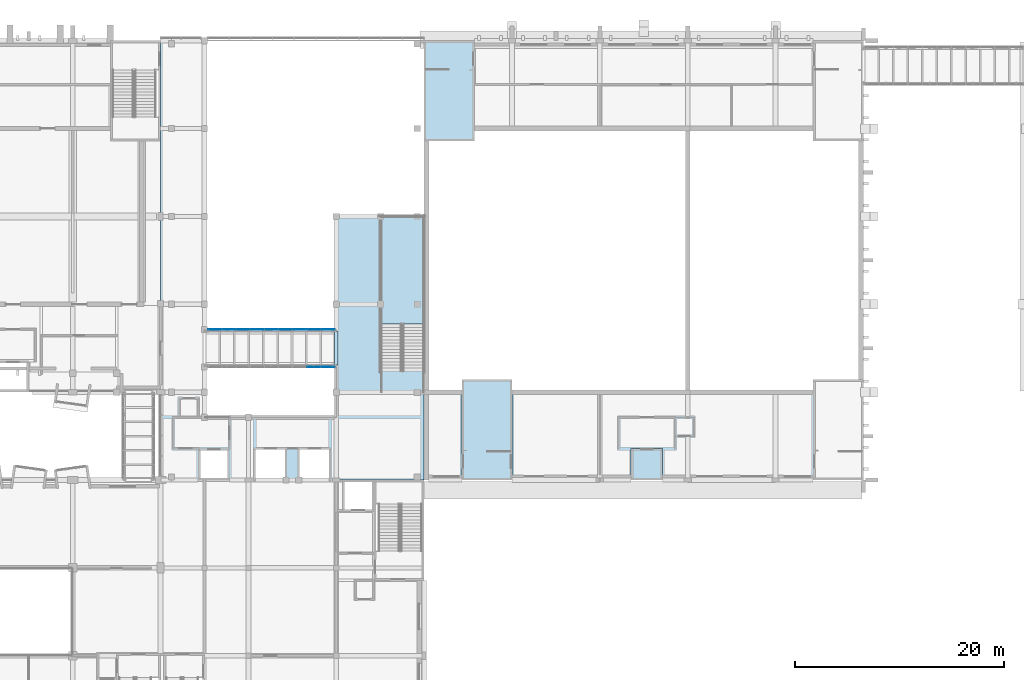
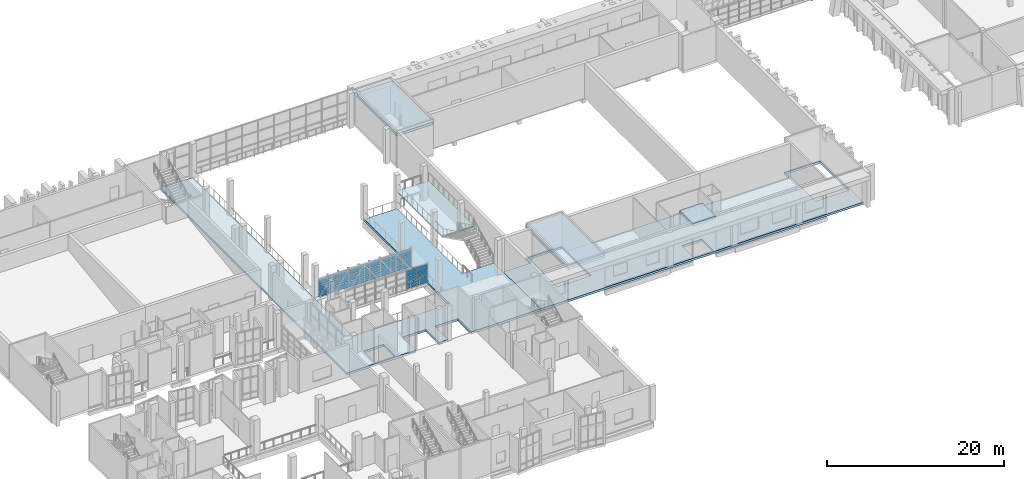
# One storey, part 33 of 86: 34 plates, 6 slabs, 3 elements without a shape of their own.
"""IFC4 building model written with IfcOpenShell, lengths in metres."""

from ifc_helpers import new_model, si_unit, direction, frame, origin, origin_2d, place, context, subcontext, project, spatial, polyline, rectangle, outline, extrude, material, layer, layer_set, type_object, element, aggregate, save


model = new_model("IFC4")

# Units and contexts
model_context = context("Model", 3, precision=1e-05, world=origin(), true_north=direction((0.0, 1.0)))
body_context = subcontext(model_context, "Body", "Model", "MODEL_VIEW")
ifc_project = project(units=[si_unit("LENGTHUNIT", "METRE"), si_unit("AREAUNIT", "SQUARE_METRE"), si_unit("VOLUMEUNIT", "CUBIC_METRE"), si_unit("PLANEANGLEUNIT", "RADIAN"), si_unit("MASSUNIT", "GRAM", prefix="KILO")], contexts=[model_context])

# Site, building, storey
site_placement = place(None, origin())
site = spatial("IfcSite", under=ifc_project, at=site_placement, CompositionType="ELEMENT")
building_placement = place(site_placement, origin())
building = spatial("IfcBuilding", under=site, at=building_placement, Name="Kiln Court Media Centre", CompositionType="ELEMENT")
storey_placement = place(building_placement, frame((0.0, 0.0, 10.199951171875)))
storey = spatial("IfcBuildingStorey", under=building, at=storey_placement, Name="L02", CompositionType="ELEMENT", Elevation=10.199951171875)

# Slabs
ifc_material_1 = material(Name="Concrete C30/37", Category="concrete")
ifc_layer_1 = layer(ifc_material_1, 0.300048828125)
ifc_layer_set_1 = layer_set([ifc_layer_1], Name="Concrete C30/37 floor slab 300")
slab_type_1 = type_object("IfcSlabType", Name="Concrete C30/37 floor slab 300", PredefinedType="FLOOR", material=ifc_layer_set_1)
slab_1_placement = place(storey_placement, frame((0.0, 0.0, -0.300048828125)))
element("IfcSlab", 1, at=slab_1_placement, inside=storey, type_object=slab_type_1, Name="L02-SL-1003", PredefinedType="FLOOR", context=body_context, shape_type="SweptSolid", body=[
    extrude(outline(polyline([(33.60009765625, 25.199951171875), (33.60009765625, 67.199951171875), (37.800048828125, 67.199951171875), (37.800048828125, 31.199951171875), (50.39990234375, 31.199951171875), (50.39990234375, 50.39990234375), (54.64990234375, 50.39990234375), (54.64990234375, 35.639892578125), (58.800048828125, 35.639892578125), (58.800048828125, 25.199951171875), (49.800048828125, 25.199951171875), (49.800048828125, 28.199951171875), (46.800048828125, 28.199951171875), (46.800048828125, 25.199951171875), (45.60009765625, 25.199951171875), (45.60009765625, 28.199951171875), (42.60009765625, 28.199951171875), (42.60009765625, 25.199951171875), (33.60009765625, 25.199951171875)]), holes=[polyline([(37.39990234375, 25.39990234375), (40.0, 25.39990234375), (40.0, 28.0), (37.39990234375, 28.0), (37.39990234375, 25.39990234375)])]), origin(), (0.0, 0.0, 1.0), 0.300048828125),
])
slab_2_placement = place(storey_placement, frame((0.0, 0.0, -0.300048828125)))
element("IfcSlab", 2, at=slab_2_placement, inside=storey, type_object=slab_type_1, Name="L02-SL-1004", PredefinedType="FLOOR", context=body_context, shape_type="SweptSolid", body=[
    extrude(outline(polyline([(58.800048828125, 25.199951171875), (58.800048828125, 33.60009765625), (62.39990234375, 33.60009765625), (62.39990234375, 34.800048828125), (67.199951171875, 34.800048828125), (67.199951171875, 33.60009765625), (96.0, 33.60009765625), (96.0, 34.800048828125), (100.800048828125, 34.800048828125), (100.800048828125, 25.199951171875), (58.800048828125, 25.199951171875)]), holes=[polyline([(78.800048828125, 25.39990234375), (81.39990234375, 25.39990234375), (81.39990234375, 28.0), (78.800048828125, 28.0), (78.800048828125, 25.39990234375)]), polyline([(62.60009765625, 28.0400390625), (67.0, 28.0400390625), (67.0, 34.60009765625), (62.60009765625, 34.60009765625), (62.60009765625, 28.0400390625)]), polyline([(96.199951171875, 28.0400390625), (100.60009765625, 28.0400390625), (100.60009765625, 34.60009765625), (96.199951171875, 34.60009765625), (96.199951171875, 28.0400390625)])]), origin(), (0.0, 0.0, 1.0), 0.300048828125),
])
ifc_material_2 = material(Name="Concrete C30/37", Category="concrete")
ifc_layer_2 = layer(ifc_material_2, 0.39990234375)
ifc_layer_set_2 = layer_set([ifc_layer_2], Name="Concrete C30/37 roof slab 400")
slab_type_2 = type_object("IfcSlabType", Name="Concrete C30/37 roof slab 400", PredefinedType="ROOF", material=ifc_layer_set_2)
slab_3_placement = place(storey_placement, frame((0.0, 0.0, 4.050048828125)))
element("IfcSlab", 3, at=slab_3_placement, inside=storey, type_object=slab_type_2, Name="L02-SL-1008", PredefinedType="ROOF", context=body_context, shape_type="SweptSolid", body=[
    extrude(outline(polyline([(58.800048828125, 57.60009765625), (58.800048828125, 67.199951171875), (63.60009765625, 67.199951171875), (63.60009765625, 57.60009765625), (58.800048828125, 57.60009765625)])), origin(), (0.0, 0.0, 1.0), 0.39990234375),
])
slab_4_placement = place(storey_placement, frame((0.0, 0.0, 4.050048828125)))
element("IfcSlab", 4, at=slab_4_placement, inside=storey, type_object=slab_type_2, Name="L02-SL-1009", PredefinedType="ROOF", context=body_context, shape_type="SweptSolid", body=[
    extrude(outline(polyline([(62.39990234375, 25.199951171875), (62.39990234375, 34.800048828125), (67.199951171875, 34.800048828125), (67.199951171875, 25.199951171875), (62.39990234375, 25.199951171875)])), origin(), (0.0, 0.0, 1.0), 0.39990234375),
])
slab_5_placement = place(storey_placement, frame((0.0, 0.0, 4.400146484375)))
element("IfcSlab", 5, at=slab_5_placement, inside=storey, type_object=slab_type_2, Name="L02-SL-1015", PredefinedType="ROOF", context=body_context, shape_type="SweptSolid", body=[
    extrude(outline(polyline([(78.60009765625, 25.199951171875), (78.60009765625, 28.199951171875), (81.60009765625, 28.199951171875), (81.60009765625, 25.199951171875), (78.60009765625, 25.199951171875)])), origin(), (0.0, 0.0, 1.0), 0.39990234375),
])

# Stair, slab
ifc_material_3 = material(Name="Concrete C40/50", Category="concrete")
stair_type = type_object("IfcStairType", Name="Concrete C40/50 dog-leg stair 2000 wide, 150 riser", PredefinedType="HALF_TURN_STAIR", material=ifc_material_3)
stair_placement = place(storey_placement, origin())
stair = element("IfcStair", 6, at=stair_placement, inside=storey, type_object=stair_type, Name="ST-F1 L02", PredefinedType="HALF_TURN_STAIR")
ifc_material_4 = material(Name="Concrete C40/50", Category="concrete")
ifc_layer_3 = layer(ifc_material_4, 0.199951171875)
ifc_layer_set_3 = layer_set([ifc_layer_3], Name="Concrete C40/50 stair landing 200")
slab_type_3 = type_object("IfcSlabType", Name="Concrete C40/50 stair landing 200", PredefinedType="LANDING", material=ifc_layer_set_3)
slab_6_placement = place(storey_placement, frame((0.0, 0.0, 2.199951171875)))
slab_6 = element("IfcSlab", 7, at=slab_6_placement, type_object=slab_type_3, Name="L02-ST-5010 landing 5010", PredefinedType="LANDING", context=body_context, shape_type="SweptSolid", body=[
    extrude(outline(polyline([(58.800048828125, 40.10009765625), (58.800048828125, 50.39990234375), (54.64990234375, 50.39990234375), (54.64990234375, 40.10009765625), (58.800048828125, 40.10009765625)])), origin(), (0.0, 0.0, 1.0), 0.2001953125),
])
aggregate(stair, [slab_6])

# Curtain wall, plates
ifc_material_5 = material(Name="Aluminium 6063-T6", Category="aluminium")
ifc_layer_4 = layer(ifc_material_5, 0.1201171875)
ifc_layer_set_4 = layer_set([ifc_layer_4], Name="Aluminium unitised curtain wall, bridge")
curtain_wall_type = type_object("IfcCurtainWallType", Name="Aluminium unitised curtain wall, bridge", PredefinedType="USERDEFINED", material=ifc_layer_set_4)
curtain_wall_1_placement = place(storey_placement, origin())
curtain_wall_1 = element("IfcCurtainWall", 8, at=curtain_wall_1_placement, inside=storey, type_object=curtain_wall_type, Name="BR-L02-FOY-11 side glazing", ObjectType="UNITISED CURTAIN WALL", PredefinedType="USERDEFINED")
ifc_material_6 = material(Name="Aluminium insulated spandrel", Category="aluminium")
ifc_layer_5 = layer(ifc_material_6, 0.028076171875)
ifc_layer_set_5 = layer_set([ifc_layer_5], Name="Insulated aluminium spandrel panel 28")
plate_type_1 = type_object("IfcPlateType", Name="Insulated aluminium spandrel panel 28", PredefinedType="CURTAIN_PANEL", material=ifc_layer_set_5)
plate_1_placement = place(storey_placement, frame((48.2666015625, 36.014892578125, 0.10009765625), z_axis=(0.0, 0.0, 1.0), x_axis=(1.0, 0.0, 0.0)))
plate_1 = element("IfcPlate", 9, at=plate_1_placement, type_object=plate_type_1, Name="CW2-67 panel 8.1", PredefinedType="CURTAIN_PANEL", context=body_context, shape_type="SweptSolid", body=[
    extrude(rectangle(XDim=1.3056640625, YDim=0.028076171875, at=origin_2d()), origin(), (0.0, 0.0, 1.0), 0.74169921875),
])
plate_2_placement = place(storey_placement, frame((48.2666015625, 36.014892578125, 1.833251953125), z_axis=(0.0, 0.0, 1.0), x_axis=(1.0, 0.0, 0.0)))
plate_2 = element("IfcPlate", 10, at=plate_2_placement, type_object=plate_type_1, Name="CW2-67 panel 8.3", PredefinedType="CURTAIN_PANEL", context=body_context, shape_type="SweptSolid", body=[
    extrude(rectangle(XDim=1.3056640625, YDim=0.028076171875, at=origin_2d()), origin(), (0.0, 0.0, 1.0), 0.74169921875),
])
plate_3_placement = place(storey_placement, frame((49.609619140625, 36.014892578125, 0.10009765625), z_axis=(0.0, 0.0, 1.0), x_axis=(1.0, 0.0, 0.0)))
plate_3 = element("IfcPlate", 11, at=plate_3_placement, type_object=plate_type_1, Name="CW2-67 panel 9.1", PredefinedType="CURTAIN_PANEL", context=body_context, shape_type="SweptSolid", body=[
    extrude(rectangle(XDim=1.280517578125, YDim=0.028076171875, at=origin_2d()), origin(), (0.0, 0.0, 1.0), 0.74169921875),
])
plate_4_placement = place(storey_placement, frame((49.609619140625, 36.014892578125, 0.94189453125), z_axis=(0.0, 0.0, 1.0), x_axis=(1.0, 0.0, 0.0)))
plate_4 = element("IfcPlate", 12, at=plate_4_placement, type_object=plate_type_1, Name="CW2-67 panel 9.2", PredefinedType="CURTAIN_PANEL", context=body_context, shape_type="SweptSolid", body=[
    extrude(rectangle(XDim=1.280517578125, YDim=0.028076171875, at=origin_2d()), origin(), (0.0, 0.0, 1.0), 0.79150390625),
])

curtain_wall_2_placement = place(storey_placement, origin())
curtain_wall_2 = element("IfcCurtainWall", 13, at=curtain_wall_2_placement, inside=storey, type_object=curtain_wall_type, Name="BR-L02-FOY-11 side glazing", ObjectType="UNITISED CURTAIN WALL", PredefinedType="USERDEFINED")
plate_5_placement = place(storey_placement, frame((38.790283203125, 39.5849609375, 0.10009765625), z_axis=(0.0, 0.0, 1.0), x_axis=(1.0, 0.0, 0.0)))
plate_5 = element("IfcPlate", 14, at=plate_5_placement, type_object=plate_type_1, Name="CW2-68 panel 1.1", PredefinedType="CURTAIN_PANEL", context=body_context, shape_type="SweptSolid", body=[
    extrude(rectangle(XDim=1.280517578125, YDim=0.028076171875, at=origin_2d()), origin(), (0.0, 0.0, 1.0), 0.74169921875),
])
plate_6_placement = place(storey_placement, frame((38.790283203125, 39.5849609375, 0.94189453125), z_axis=(0.0, 0.0, 1.0), x_axis=(1.0, 0.0, 0.0)))
plate_6 = element("IfcPlate", 15, at=plate_6_placement, type_object=plate_type_1, Name="CW2-68 panel 1.2", PredefinedType="CURTAIN_PANEL", context=body_context, shape_type="SweptSolid", body=[
    extrude(rectangle(XDim=1.280517578125, YDim=0.028076171875, at=origin_2d()), origin(), (0.0, 0.0, 1.0), 0.79150390625),
])
plate_7_placement = place(storey_placement, frame((40.13330078125, 39.5849609375, 0.10009765625), z_axis=(0.0, 0.0, 1.0), x_axis=(1.0, 0.0, 0.0)))
plate_7 = element("IfcPlate", 16, at=plate_7_placement, type_object=plate_type_1, Name="CW2-68 panel 2.1", PredefinedType="CURTAIN_PANEL", context=body_context, shape_type="SweptSolid", body=[
    extrude(rectangle(XDim=1.3056640625, YDim=0.028076171875, at=origin_2d()), origin(), (0.0, 0.0, 1.0), 0.74169921875),
])
plate_8_placement = place(storey_placement, frame((40.13330078125, 39.5849609375, 1.833251953125), z_axis=(0.0, 0.0, 1.0), x_axis=(1.0, 0.0, 0.0)))
plate_8 = element("IfcPlate", 17, at=plate_8_placement, type_object=plate_type_1, Name="CW2-68 panel 2.3", PredefinedType="CURTAIN_PANEL", context=body_context, shape_type="SweptSolid", body=[
    extrude(rectangle(XDim=1.3056640625, YDim=0.028076171875, at=origin_2d()), origin(), (0.0, 0.0, 1.0), 0.74169921875),
])
plate_9_placement = place(storey_placement, frame((41.48876953125, 39.5849609375, 0.10009765625), z_axis=(0.0, 0.0, 1.0), x_axis=(1.0, 0.0, 0.0)))
plate_9 = element("IfcPlate", 18, at=plate_9_placement, type_object=plate_type_1, Name="CW2-68 panel 3.1", PredefinedType="CURTAIN_PANEL", context=body_context, shape_type="SweptSolid", body=[
    extrude(rectangle(XDim=1.3056640625, YDim=0.028076171875, at=origin_2d()), origin(), (0.0, 0.0, 1.0), 0.74169921875),
])
plate_10_placement = place(storey_placement, frame((41.48876953125, 39.5849609375, 0.94189453125), z_axis=(0.0, 0.0, 1.0), x_axis=(1.0, 0.0, 0.0)))
plate_10 = element("IfcPlate", 19, at=plate_10_placement, type_object=plate_type_1, Name="CW2-68 panel 3.2", PredefinedType="CURTAIN_PANEL", context=body_context, shape_type="SweptSolid", body=[
    extrude(rectangle(XDim=1.3056640625, YDim=0.028076171875, at=origin_2d()), origin(), (0.0, 0.0, 1.0), 0.79150390625),
])
plate_11_placement = place(storey_placement, frame((41.48876953125, 39.5849609375, 1.833251953125), z_axis=(0.0, 0.0, 1.0), x_axis=(1.0, 0.0, 0.0)))
plate_11 = element("IfcPlate", 20, at=plate_11_placement, type_object=plate_type_1, Name="CW2-68 panel 3.3", PredefinedType="CURTAIN_PANEL", context=body_context, shape_type="SweptSolid", body=[
    extrude(rectangle(XDim=1.3056640625, YDim=0.028076171875, at=origin_2d()), origin(), (0.0, 0.0, 1.0), 0.74169921875),
])
plate_12_placement = place(storey_placement, frame((42.844482421875, 39.5849609375, 0.10009765625), z_axis=(0.0, 0.0, 1.0), x_axis=(1.0, 0.0, 0.0)))
plate_12 = element("IfcPlate", 21, at=plate_12_placement, type_object=plate_type_1, Name="CW2-68 panel 4.1", PredefinedType="CURTAIN_PANEL", context=body_context, shape_type="SweptSolid", body=[
    extrude(rectangle(XDim=1.3056640625, YDim=0.028076171875, at=origin_2d()), origin(), (0.0, 0.0, 1.0), 0.74169921875),
])
plate_13_placement = place(storey_placement, frame((42.844482421875, 39.5849609375, 0.94189453125), z_axis=(0.0, 0.0, 1.0), x_axis=(1.0, 0.0, 0.0)))
plate_13 = element("IfcPlate", 22, at=plate_13_placement, type_object=plate_type_1, Name="CW2-68 panel 4.2", PredefinedType="CURTAIN_PANEL", context=body_context, shape_type="SweptSolid", body=[
    extrude(rectangle(XDim=1.3056640625, YDim=0.028076171875, at=origin_2d()), origin(), (0.0, 0.0, 1.0), 0.79150390625),
])
plate_14_placement = place(storey_placement, frame((44.199951171875, 39.5849609375, 0.10009765625), z_axis=(0.0, 0.0, 1.0), x_axis=(1.0, 0.0, 0.0)))
plate_14 = element("IfcPlate", 23, at=plate_14_placement, type_object=plate_type_1, Name="CW2-68 panel 5.1", PredefinedType="CURTAIN_PANEL", context=body_context, shape_type="SweptSolid", body=[
    extrude(rectangle(XDim=1.3056640625, YDim=0.028076171875, at=origin_2d()), origin(), (0.0, 0.0, 1.0), 0.74169921875),
])
plate_15_placement = place(storey_placement, frame((44.199951171875, 39.5849609375, 1.833251953125), z_axis=(0.0, 0.0, 1.0), x_axis=(1.0, 0.0, 0.0)))
plate_15 = element("IfcPlate", 24, at=plate_15_placement, type_object=plate_type_1, Name="CW2-68 panel 5.3", PredefinedType="CURTAIN_PANEL", context=body_context, shape_type="SweptSolid", body=[
    extrude(rectangle(XDim=1.3056640625, YDim=0.028076171875, at=origin_2d()), origin(), (0.0, 0.0, 1.0), 0.74169921875),
])
plate_16_placement = place(storey_placement, frame((45.5556640625, 39.5849609375, 0.10009765625), z_axis=(0.0, 0.0, 1.0), x_axis=(1.0, 0.0, 0.0)))
plate_16 = element("IfcPlate", 25, at=plate_16_placement, type_object=plate_type_1, Name="CW2-68 panel 6.1", PredefinedType="CURTAIN_PANEL", context=body_context, shape_type="SweptSolid", body=[
    extrude(rectangle(XDim=1.3056640625, YDim=0.028076171875, at=origin_2d()), origin(), (0.0, 0.0, 1.0), 0.74169921875),
])
plate_17_placement = place(storey_placement, frame((46.9111328125, 39.5849609375, 0.10009765625), z_axis=(0.0, 0.0, 1.0), x_axis=(1.0, 0.0, 0.0)))
plate_17 = element("IfcPlate", 26, at=plate_17_placement, type_object=plate_type_1, Name="CW2-68 panel 7.1", PredefinedType="CURTAIN_PANEL", context=body_context, shape_type="SweptSolid", body=[
    extrude(rectangle(XDim=1.3056640625, YDim=0.028076171875, at=origin_2d()), origin(), (0.0, 0.0, 1.0), 0.74169921875),
])
plate_18_placement = place(storey_placement, frame((46.9111328125, 39.5849609375, 0.94189453125), z_axis=(0.0, 0.0, 1.0), x_axis=(1.0, 0.0, 0.0)))
plate_18 = element("IfcPlate", 27, at=plate_18_placement, type_object=plate_type_1, Name="CW2-68 panel 7.2", PredefinedType="CURTAIN_PANEL", context=body_context, shape_type="SweptSolid", body=[
    extrude(rectangle(XDim=1.3056640625, YDim=0.028076171875, at=origin_2d()), origin(), (0.0, 0.0, 1.0), 0.79150390625),
])
plate_19_placement = place(storey_placement, frame((46.9111328125, 39.5849609375, 1.833251953125), z_axis=(0.0, 0.0, 1.0), x_axis=(1.0, 0.0, 0.0)))
plate_19 = element("IfcPlate", 28, at=plate_19_placement, type_object=plate_type_1, Name="CW2-68 panel 7.3", PredefinedType="CURTAIN_PANEL", context=body_context, shape_type="SweptSolid", body=[
    extrude(rectangle(XDim=1.3056640625, YDim=0.028076171875, at=origin_2d()), origin(), (0.0, 0.0, 1.0), 0.74169921875),
])
plate_20_placement = place(storey_placement, frame((48.2666015625, 39.5849609375, 0.10009765625), z_axis=(0.0, 0.0, 1.0), x_axis=(1.0, 0.0, 0.0)))
plate_20 = element("IfcPlate", 29, at=plate_20_placement, type_object=plate_type_1, Name="CW2-68 panel 8.1", PredefinedType="CURTAIN_PANEL", context=body_context, shape_type="SweptSolid", body=[
    extrude(rectangle(XDim=1.3056640625, YDim=0.028076171875, at=origin_2d()), origin(), (0.0, 0.0, 1.0), 0.74169921875),
])
plate_21_placement = place(storey_placement, frame((48.2666015625, 39.5849609375, 1.833251953125), z_axis=(0.0, 0.0, 1.0), x_axis=(1.0, 0.0, 0.0)))
plate_21 = element("IfcPlate", 30, at=plate_21_placement, type_object=plate_type_1, Name="CW2-68 panel 8.3", PredefinedType="CURTAIN_PANEL", context=body_context, shape_type="SweptSolid", body=[
    extrude(rectangle(XDim=1.3056640625, YDim=0.028076171875, at=origin_2d()), origin(), (0.0, 0.0, 1.0), 0.74169921875),
])
plate_22_placement = place(storey_placement, frame((49.609619140625, 39.5849609375, 0.10009765625), z_axis=(0.0, 0.0, 1.0), x_axis=(1.0, 0.0, 0.0)))
plate_22 = element("IfcPlate", 31, at=plate_22_placement, type_object=plate_type_1, Name="CW2-68 panel 9.1", PredefinedType="CURTAIN_PANEL", context=body_context, shape_type="SweptSolid", body=[
    extrude(rectangle(XDim=1.280517578125, YDim=0.028076171875, at=origin_2d()), origin(), (0.0, 0.0, 1.0), 0.74169921875),
])
plate_23_placement = place(storey_placement, frame((49.609619140625, 39.5849609375, 0.94189453125), z_axis=(0.0, 0.0, 1.0), x_axis=(1.0, 0.0, 0.0)))
plate_23 = element("IfcPlate", 32, at=plate_23_placement, type_object=plate_type_1, Name="CW2-68 panel 9.2", PredefinedType="CURTAIN_PANEL", context=body_context, shape_type="SweptSolid", body=[
    extrude(rectangle(XDim=1.280517578125, YDim=0.028076171875, at=origin_2d()), origin(), (0.0, 0.0, 1.0), 0.79150390625),
])

# Plate
ifc_material_7 = material(Name="Laminated low-E glazing", Category="glass")
ifc_layer_6 = layer(ifc_material_7, 0.028076171875)
ifc_layer_set_6 = layer_set([ifc_layer_6], Name="Laminated low-E glazed panel 28")
plate_type_2 = type_object("IfcPlateType", Name="Laminated low-E glazed panel 28", PredefinedType="CURTAIN_PANEL", material=ifc_layer_set_6)
plate_24_placement = place(storey_placement, frame((48.2666015625, 36.014892578125, 0.94189453125), z_axis=(0.0, 0.0, 1.0), x_axis=(1.0, 0.0, 0.0)))
plate_24 = element("IfcPlate", 33, at=plate_24_placement, type_object=plate_type_2, Name="CW2-67 panel 8.2", PredefinedType="CURTAIN_PANEL", context=body_context, shape_type="SweptSolid", body=[
    extrude(rectangle(XDim=1.3056640625, YDim=0.028076171875, at=origin_2d()), origin(), (0.0, 0.0, 1.0), 0.79150390625),
])

plate_25_placement = place(storey_placement, frame((49.609619140625, 36.014892578125, 1.833251953125), z_axis=(0.0, 0.0, 1.0), x_axis=(1.0, 0.0, 0.0)))
plate_25 = element("IfcPlate", 34, at=plate_25_placement, type_object=plate_type_2, Name="CW2-67 panel 9.3", PredefinedType="CURTAIN_PANEL", context=body_context, shape_type="SweptSolid", body=[
    extrude(rectangle(XDim=1.280517578125, YDim=0.028076171875, at=origin_2d()), origin(), (0.0, 0.0, 1.0), 0.74169921875),
])

aggregate(curtain_wall_1, [plate_1, plate_24, plate_2, plate_3, plate_4, plate_25])

plate_26_placement = place(storey_placement, frame((38.790283203125, 39.5849609375, 1.833251953125), z_axis=(0.0, 0.0, 1.0), x_axis=(1.0, 0.0, 0.0)))
plate_26 = element("IfcPlate", 35, at=plate_26_placement, type_object=plate_type_2, Name="CW2-68 panel 1.3", PredefinedType="CURTAIN_PANEL", context=body_context, shape_type="SweptSolid", body=[
    extrude(rectangle(XDim=1.280517578125, YDim=0.028076171875, at=origin_2d()), origin(), (0.0, 0.0, 1.0), 0.74169921875),
])

plate_27_placement = place(storey_placement, frame((40.13330078125, 39.5849609375, 0.94189453125), z_axis=(0.0, 0.0, 1.0), x_axis=(1.0, 0.0, 0.0)))
plate_27 = element("IfcPlate", 36, at=plate_27_placement, type_object=plate_type_2, Name="CW2-68 panel 2.2", PredefinedType="CURTAIN_PANEL", context=body_context, shape_type="SweptSolid", body=[
    extrude(rectangle(XDim=1.3056640625, YDim=0.028076171875, at=origin_2d()), origin(), (0.0, 0.0, 1.0), 0.79150390625),
])

plate_28_placement = place(storey_placement, frame((42.844482421875, 39.5849609375, 1.833251953125), z_axis=(0.0, 0.0, 1.0), x_axis=(1.0, 0.0, 0.0)))
plate_28 = element("IfcPlate", 37, at=plate_28_placement, type_object=plate_type_2, Name="CW2-68 panel 4.3", PredefinedType="CURTAIN_PANEL", context=body_context, shape_type="SweptSolid", body=[
    extrude(rectangle(XDim=1.3056640625, YDim=0.028076171875, at=origin_2d()), origin(), (0.0, 0.0, 1.0), 0.74169921875),
])

plate_29_placement = place(storey_placement, frame((44.199951171875, 39.5849609375, 0.94189453125), z_axis=(0.0, 0.0, 1.0), x_axis=(1.0, 0.0, 0.0)))
plate_29 = element("IfcPlate", 38, at=plate_29_placement, type_object=plate_type_2, Name="CW2-68 panel 5.2", PredefinedType="CURTAIN_PANEL", context=body_context, shape_type="SweptSolid", body=[
    extrude(rectangle(XDim=1.3056640625, YDim=0.028076171875, at=origin_2d()), origin(), (0.0, 0.0, 1.0), 0.79150390625),
])

plate_30_placement = place(storey_placement, frame((45.5556640625, 39.5849609375, 0.94189453125), z_axis=(0.0, 0.0, 1.0), x_axis=(1.0, 0.0, 0.0)))
plate_30 = element("IfcPlate", 39, at=plate_30_placement, type_object=plate_type_2, Name="CW2-68 panel 6.2", PredefinedType="CURTAIN_PANEL", context=body_context, shape_type="SweptSolid", body=[
    extrude(rectangle(XDim=1.3056640625, YDim=0.028076171875, at=origin_2d()), origin(), (0.0, 0.0, 1.0), 0.79150390625),
])

plate_31_placement = place(storey_placement, frame((45.5556640625, 39.5849609375, 1.833251953125), z_axis=(0.0, 0.0, 1.0), x_axis=(1.0, 0.0, 0.0)))
plate_31 = element("IfcPlate", 40, at=plate_31_placement, type_object=plate_type_2, Name="CW2-68 panel 6.3", PredefinedType="CURTAIN_PANEL", context=body_context, shape_type="SweptSolid", body=[
    extrude(rectangle(XDim=1.3056640625, YDim=0.028076171875, at=origin_2d()), origin(), (0.0, 0.0, 1.0), 0.74169921875),
])

plate_32_placement = place(storey_placement, frame((48.2666015625, 39.5849609375, 0.94189453125), z_axis=(0.0, 0.0, 1.0), x_axis=(1.0, 0.0, 0.0)))
plate_32 = element("IfcPlate", 41, at=plate_32_placement, type_object=plate_type_2, Name="CW2-68 panel 8.2", PredefinedType="CURTAIN_PANEL", context=body_context, shape_type="SweptSolid", body=[
    extrude(rectangle(XDim=1.3056640625, YDim=0.028076171875, at=origin_2d()), origin(), (0.0, 0.0, 1.0), 0.79150390625),
])

plate_33_placement = place(storey_placement, frame((49.609619140625, 39.5849609375, 1.833251953125), z_axis=(0.0, 0.0, 1.0), x_axis=(1.0, 0.0, 0.0)))
plate_33 = element("IfcPlate", 42, at=plate_33_placement, type_object=plate_type_2, Name="CW2-68 panel 9.3", PredefinedType="CURTAIN_PANEL", context=body_context, shape_type="SweptSolid", body=[
    extrude(rectangle(XDim=1.280517578125, YDim=0.028076171875, at=origin_2d()), origin(), (0.0, 0.0, 1.0), 0.74169921875),
])

aggregate(curtain_wall_2, [plate_5, plate_6, plate_26, plate_7, plate_27, plate_8, plate_9, plate_10, plate_11, plate_12, plate_13, plate_28, plate_14, plate_29, plate_15, plate_16, plate_30, plate_31, plate_17, plate_18, plate_19, plate_20, plate_32, plate_21, plate_22, plate_23, plate_33])

ifc_material_8 = material(Name="Steel ASTM A572 Gr 50", Category="steel")
ifc_layer_7 = layer(ifc_material_8, 0.010009765625)
ifc_layer_set_7 = layer_set([ifc_layer_7], Name="Steel ASTM A572 Gr 50 300x3200x10 movement joint cover plate")
plate_type_3 = type_object("IfcPlateType", Name="Steel ASTM A572 Gr 50 300x3200x10 movement joint cover plate", PredefinedType="USERDEFINED", material=ifc_layer_set_7)
plate_34_placement = place(storey_placement, frame((50.39990234375, 37.800048828125, -0.001953125), z_axis=(0.0, 0.0, 1.0), x_axis=(1.0, 0.0, 0.0)))
element("IfcPlate", 43, at=plate_34_placement, inside=storey, type_object=plate_type_3, Name="bridge BR-L02-FOY-11 joint 2 movement joint cover plate", ObjectType="MOVEMENT JOINT COVER PLATE", PredefinedType="USERDEFINED", context=body_context, shape_type="SweptSolid", body=[
    extrude(rectangle(XDim=0.300048828125, YDim=3.199951171875, at=origin_2d()), origin(), (0.0, 0.0, 1.0), 0.010009765625),
])

save(model, "model.ifc")
